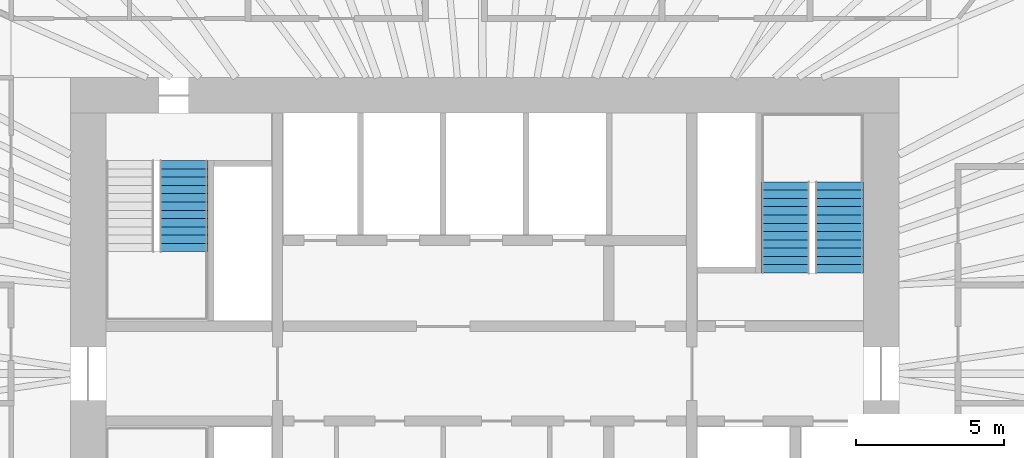
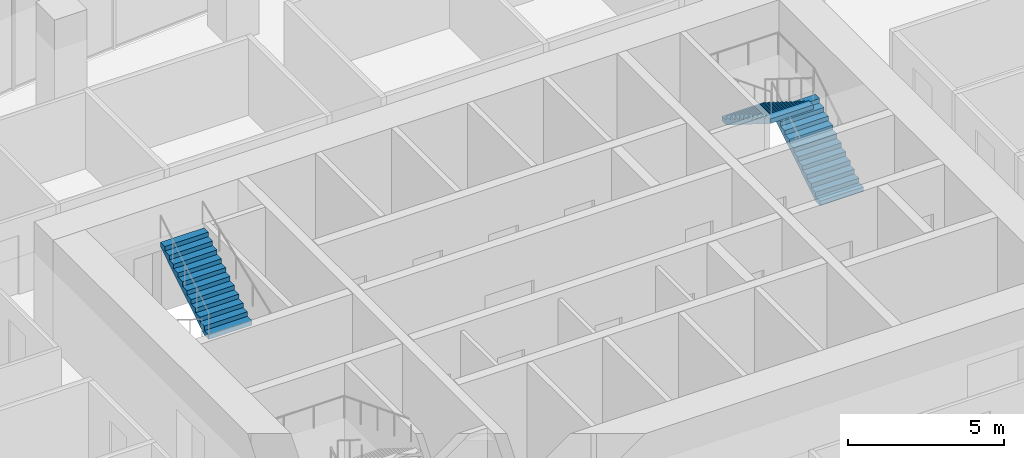
# One storey, part 11 of 12: 3 stair flights, 2 elements without a shape of their own.
"""IFC4 building model written with IfcOpenShell, lengths in metres."""

import ifcopenshell
import ifcopenshell.guid

model = None  # the IFC model being written
_history = None  # IfcOwnerHistory: only IFC2X3 demands one
_inside = {}  # id of a spatial element -> (the spatial element, [elements in it])
_under = {}  # id of a project, library or spatial element -> (it, [spatial elements below it])
_declared = {}  # id of a project -> (the project, [libraries it declares])
_typed = {}  # id of a type object -> (the type object, [elements of that type])
_made_of = {}  # id of a material, layer set ... -> (it, [elements and type objects made of it])


def new_model(schema):
    """Start an empty IFC model of exactly this schema.

    Asked for "IFC4X3", IfcOpenShell would pick the latest addendum, in which some entities
    have other attributes; the version numbers below select the first issue.
    IFC2X3 requires an IfcOwnerHistory on every rooted entity: one is made here for all.
    """
    global model, _history
    if schema == "IFC4X3":
        model = ifcopenshell.file(schema_version=(4, 3, 0, 0))
    else:
        model = ifcopenshell.file(schema=schema)
    _inside.clear()
    _under.clear()
    _declared.clear()
    _typed.clear()
    _made_of.clear()
    _history = None
    if model.schema == "IFC2X3":
        org = make("IfcOrganization", Name="unknown")
        user = make(
            "IfcPersonAndOrganization",
            ThePerson=make("IfcPerson", FamilyName="unknown"),
            TheOrganization=org,
        )
        app = make(
            "IfcApplication",
            ApplicationDeveloper=org,
            Version="unknown",
            ApplicationFullName="unknown",
            ApplicationIdentifier="unknown",
        )
        _history = make(
            "IfcOwnerHistory",
            OwningUser=user,
            OwningApplication=app,
            ChangeAction="ADDED",
            CreationDate=0,
        )
    return model


def make(cls, **values):
    """One entity of the class cls with the attributes given. An attribute that is None is left unset."""
    return model.create_entity(
        cls, **{name: value for name, value in values.items() if value is not None}
    )


def rooted(cls, **values):
    """An entity with a GlobalId (a new one), such as an element, a storey or a relation."""
    return make(cls, GlobalId=ifcopenshell.guid.new(), OwnerHistory=_history, **values)


def si_unit(unit_type, name, prefix=None):
    """IfcSIUnit, for example si_unit("LENGTHUNIT", "METRE", prefix="MILLI")."""
    return make("IfcSIUnit", UnitType=unit_type, Prefix=prefix, Name=name)


def assignment(units):
    """IfcUnitAssignment: the units of a project."""
    return None if units is None else make("IfcUnitAssignment", Units=units)


def point(xyz):
    """IfcCartesianPoint."""
    return None if xyz is None else make("IfcCartesianPoint", Coordinates=xyz)


def direction(xyz):
    """IfcDirection."""
    return None if xyz is None else make("IfcDirection", DirectionRatios=xyz)


def frame(location, z_axis=None, x_axis=None):
    """IfcAxis2Placement3D, a coordinate frame: its origin and axes. An axis left out is left unset."""
    return make(
        "IfcAxis2Placement3D",
        Location=point(location),
        Axis=direction(z_axis),
        RefDirection=direction(x_axis),
    )


def origin():
    """The frame at (0, 0, 0) with its axes left unset."""
    return frame((0.0, 0.0, 0.0))


def place(relative_to, where):
    """IfcLocalPlacement: puts the frame where relative to a parent placement (None: the world)."""
    return make(
        "IfcLocalPlacement", PlacementRelTo=relative_to, RelativePlacement=where
    )


def context(
    kind, dimensions, precision=None, world=None, true_north=None, identifier=None
):
    """IfcGeometricRepresentationContext, for example the 3D "Model" context."""
    return make(
        "IfcGeometricRepresentationContext",
        ContextIdentifier=identifier,
        ContextType=kind,
        CoordinateSpaceDimension=dimensions,
        Precision=precision,
        WorldCoordinateSystem=world,
        TrueNorth=true_north,
    )


def subcontext(parent, identifier, kind, view, scale=None):
    """IfcGeometricRepresentationSubContext, for example "Body" below "Model"."""
    return make(
        "IfcGeometricRepresentationSubContext",
        ContextIdentifier=identifier,
        ContextType=kind,
        ParentContext=parent,
        TargetScale=scale,
        TargetView=view,
    )


def project(units=None, contexts=None):
    """IfcProject with its units and contexts."""
    return rooted(
        "IfcProject",
        Name="project",
        RepresentationContexts=contexts,
        UnitsInContext=assignment(units),
    )


def spatial(cls, under=None, at=None, **own):
    """A site, building, storey or space (cls), placed at a placement, below another one or the project."""
    s = rooted(cls, ObjectPlacement=at, **own)
    if under is not None:
        _under.setdefault(under.id(), (under, []))[1].append(s)
    return s


def polyline(points):
    """IfcPolyline through the points."""
    return make("IfcPolyline", Points=[point(p) for p in points])


def outline(outer, holes=None, kind="AREA"):
    """IfcArbitraryClosedProfileDef: a profile drawn as a closed curve; with holes, ...WithVoids."""
    if holes is None:
        return make("IfcArbitraryClosedProfileDef", ProfileType=kind, OuterCurve=outer)
    return make(
        "IfcArbitraryProfileDefWithVoids",
        ProfileType=kind,
        OuterCurve=outer,
        InnerCurves=holes,
    )


def extrude(swept, where, along, depth):
    """IfcExtrudedAreaSolid: the profile swept, set in the frame where, extruded along a direction by depth."""
    return make(
        "IfcExtrudedAreaSolid",
        SweptArea=swept,
        Position=where,
        ExtrudedDirection=direction(along),
        Depth=depth,
    )


def shape(context_of_items, identifier, shape_type, items):
    """IfcShapeRepresentation: the items that make up one representation, for example the "Body"."""
    return make(
        "IfcShapeRepresentation",
        ContextOfItems=context_of_items,
        RepresentationIdentifier=identifier,
        RepresentationType=shape_type,
        Items=items,
    )


def material(Name=None, Category=None):
    """IfcMaterial."""
    return make("IfcMaterial", Name=Name, Category=Category)


def made_of(thing, what):
    """Note that an element or type object is made of a material, layer set ...; save() writes the relation."""
    if what is not None:
        _made_of.setdefault(what.id(), (what, []))[1].append(thing)
    return thing


def type_object(cls, material=None, **own):
    """A type object (cls), such as IfcWallType, which elements share."""
    return made_of(rooted(cls, **own), material)


def element(
    cls,
    number,
    at=None,
    inside=None,
    cuts=None,
    type_object=None,
    material=None,
    context=None,
    identifier="Body",
    shape_type=None,
    held_by="IfcProductDefinitionShape",
    body=None,
    shapes=None,
    **own,
):
    """One element of the class cls, such as IfcWall. Its Tag is "e" and its number.

    at: its placement. inside: the storey or other place that contains it. cuts: it is an
    opening in that element (IfcRelVoidsElement). A single representation is given by context,
    identifier, shape_type and body (its items); several are given by shapes. held_by: the class
    of the entity that holds the representations. save() writes the other relations.
    """
    e = rooted(cls, Tag="e%d" % number, ObjectPlacement=at, **own)
    if body is not None:
        shapes = [shape(context, identifier, shape_type, body)]
    if shapes is not None:
        e.Representation = make(held_by, Representations=shapes)
    if inside is not None:
        _inside.setdefault(inside.id(), (inside, []))[1].append(e)
    if cuts is not None:
        rooted(
            "IfcRelVoidsElement", RelatingBuildingElement=cuts, RelatedOpeningElement=e
        )
    if type_object is not None:
        _typed.setdefault(type_object.id(), (type_object, []))[1].append(e)
    return made_of(e, material)


def aggregate(whole, parts):
    """IfcRelAggregates: a whole, such as a stair, and the parts it consists of."""
    return rooted("IfcRelAggregates", RelatingObject=whole, RelatedObjects=parts)


def save(model, path):
    """Write the relations noted so far, then the file.

    IfcRelAggregates (storeys below a building ...), IfcRelContainedInSpatialStructure (elements
    in a storey), IfcRelDefinesByType, IfcRelAssociatesMaterial and IfcRelDeclares: one each for
    every whole, place, type object, material and project.
    """
    for whole, parts in _under.values():
        aggregate(whole, parts)
    for where, things in _inside.values():
        rooted(
            "IfcRelContainedInSpatialStructure",
            RelatedElements=things,
            RelatingStructure=where,
        )
    for kind, things in _typed.values():
        rooted("IfcRelDefinesByType", RelatedObjects=things, RelatingType=kind)
    for what, things in _made_of.values():
        rooted("IfcRelAssociatesMaterial", RelatedObjects=things, RelatingMaterial=what)
    for by, libraries in _declared.values():
        rooted("IfcRelDeclares", RelatingContext=by, RelatedDefinitions=libraries)
    model.write(path)


model = new_model("IFC4")

# Units and contexts
model_context = context("Model", 3, precision=1e-05, world=origin(), true_north=direction((0.0, 1.0)))
body_context = subcontext(model_context, "Body", "Model", "MODEL_VIEW")
ifc_project = project(units=[si_unit("LENGTHUNIT", "METRE"), si_unit("AREAUNIT", "SQUARE_METRE"), si_unit("VOLUMEUNIT", "CUBIC_METRE"), si_unit("PLANEANGLEUNIT", "RADIAN"), si_unit("MASSUNIT", "GRAM", prefix="KILO")], contexts=[model_context])

# Site, building, storey
site_placement = place(None, origin())
site = spatial("IfcSite", under=ifc_project, at=site_placement, CompositionType="ELEMENT")
building_placement = place(site_placement, origin())
building = spatial("IfcBuilding", under=site, at=building_placement, Name="Ghaith Harvest Tower", CompositionType="ELEMENT")
storey_placement = place(building_placement, frame((0.0, 0.0, 232.60009765625)))
storey = spatial("IfcBuildingStorey", under=building, at=storey_placement, Name="L51", CompositionType="ELEMENT", Elevation=232.60009765625)

# Stair, stair flight
ifc_material_1 = material(Name="Concrete C40/50, precast", Category="concrete")
stair_type = type_object("IfcStairType", Name="CORE STAIR 24R", PredefinedType="HALF_TURN_STAIR", material=ifc_material_1)
stair_1_placement = place(storey_placement, origin())
stair_1 = element("IfcStair", 1, at=stair_1_placement, inside=storey, type_object=stair_type, Name="Stair ST1 L51", PredefinedType="HALF_TURN_STAIR")
ifc_material_2 = material(Name="Concrete C40/50, precast", Category="concrete")
stair_flight_type = type_object("IfcStairFlightType", Name="CORE FLIGHT 12R 1600", PredefinedType="STRAIGHT", material=ifc_material_2)
stair_flight_1_placement = place(storey_placement, frame((-10.14990234375, 4.1201171875, 2.099853515625), z_axis=(0.0, 0.0, 1.0), x_axis=(0.0, 1.0, 0.0)))
stair_flight_1 = element("IfcStairFlight", 2, at=stair_flight_1_placement, type_object=stair_flight_type, Name="ST1 flight 2", NumberOfRisers=12, NumberOfTreads=11, PredefinedType="STRAIGHT", RiserHeight=0.175, TreadLength=0.28, context=body_context, shape_type="SweptSolid", body=[
    extrude(outline(polyline([(0.0, 0.0), (0.0, 0.175048828125), (0.280029296875, 0.175048828125), (0.280029296875, 0.35009765625), (0.56005859375, 0.35009765625), (0.56005859375, 0.52490234375), (0.840087890625, 0.52490234375), (0.840087890625, 0.699951171875), (1.1201171875, 0.699951171875), (1.1201171875, 0.875), (1.39990234375, 0.875), (1.39990234375, 1.050048828125), (1.679931640625, 1.050048828125), (1.679931640625, 1.22509765625), (1.9599609375, 1.22509765625), (1.9599609375, 1.39990234375), (2.239990234375, 1.39990234375), (2.239990234375, 1.574951171875), (2.52001953125, 1.574951171875), (2.52001953125, 1.75), (2.800048828125, 1.75), (2.800048828125, 1.925048828125), (3.080078125, 1.925048828125), (3.080078125, 2.10009765625), (3.080078125, 1.748291015625), (0.28271484375, 0.0), (0.0, 0.0)])), frame((0.0, 0.800048828125, 0.0), z_axis=(0.0, -1.0, 0.0), x_axis=(1.0, 0.0, 0.0)), (0.0, 0.0, 1.0), 1.60009765625),
])
aggregate(stair_1, [stair_flight_1])

# Stair, stair flights
stair_2_placement = place(storey_placement, origin())
stair_2 = element("IfcStair", 3, at=stair_2_placement, inside=storey, type_object=stair_type, Name="Stair ST2 L51", PredefinedType="HALF_TURN_STAIR")
stair_flight_2_placement = place(storey_placement, frame((12.0, 3.39990234375, 0.0), z_axis=(0.0, 0.0, 1.0), x_axis=(0.0, 1.0, 0.0)))
stair_flight_2 = element("IfcStairFlight", 4, at=stair_flight_2_placement, type_object=stair_flight_type, Name="ST2 flight 1", NumberOfRisers=12, NumberOfTreads=11, PredefinedType="STRAIGHT", RiserHeight=0.175, TreadLength=0.28, context=body_context, shape_type="SweptSolid", body=[
    extrude(outline(polyline([(0.0, 0.0), (0.0, 0.175048828125), (0.280029296875, 0.175048828125), (0.280029296875, 0.35009765625), (0.56005859375, 0.35009765625), (0.56005859375, 0.52490234375), (0.840087890625, 0.52490234375), (0.840087890625, 0.699951171875), (1.1201171875, 0.699951171875), (1.1201171875, 0.875), (1.39990234375, 0.875), (1.39990234375, 1.050048828125), (1.679931640625, 1.050048828125), (1.679931640625, 1.22509765625), (1.9599609375, 1.22509765625), (1.9599609375, 1.39990234375), (2.239990234375, 1.39990234375), (2.239990234375, 1.574951171875), (2.52001953125, 1.574951171875), (2.52001953125, 1.75), (2.800048828125, 1.75), (2.800048828125, 1.925048828125), (3.080078125, 1.925048828125), (3.080078125, 2.10009765625), (3.080078125, 1.748291015625), (0.28271484375, 0.0), (0.0, 0.0)])), frame((0.0, 0.800048828125, 0.0), z_axis=(0.0, -1.0, 0.0), x_axis=(1.0, 0.0, 0.0)), (0.0, 0.0, 1.0), 1.60009765625),
])
stair_flight_3_placement = place(storey_placement, frame((10.14990234375, 6.47998046875, 2.099853515625), z_axis=(0.0, 0.0, 1.0), x_axis=(0.0, -1.0, 0.0)))
stair_flight_3 = element("IfcStairFlight", 5, at=stair_flight_3_placement, type_object=stair_flight_type, Name="ST2 flight 2", NumberOfRisers=12, NumberOfTreads=11, PredefinedType="STRAIGHT", RiserHeight=0.175, TreadLength=0.28, context=body_context, shape_type="SweptSolid", body=[
    extrude(outline(polyline([(0.0, 0.0), (0.0, 0.175048828125), (0.280029296875, 0.175048828125), (0.280029296875, 0.35009765625), (0.56005859375, 0.35009765625), (0.56005859375, 0.52490234375), (0.840087890625, 0.52490234375), (0.840087890625, 0.699951171875), (1.1201171875, 0.699951171875), (1.1201171875, 0.875), (1.39990234375, 0.875), (1.39990234375, 1.050048828125), (1.679931640625, 1.050048828125), (1.679931640625, 1.22509765625), (1.9599609375, 1.22509765625), (1.9599609375, 1.39990234375), (2.239990234375, 1.39990234375), (2.239990234375, 1.574951171875), (2.52001953125, 1.574951171875), (2.52001953125, 1.75), (2.800048828125, 1.75), (2.800048828125, 1.925048828125), (3.080078125, 1.925048828125), (3.080078125, 2.10009765625), (3.080078125, 1.748291015625), (0.28271484375, 0.0), (0.0, 0.0)])), frame((0.0, 0.800048828125, 0.0), z_axis=(0.0, -1.0, 0.0), x_axis=(1.0, 0.0, 0.0)), (0.0, 0.0, 1.0), 1.60009765625),
])
aggregate(stair_2, [stair_flight_2, stair_flight_3])

save(model, "model.ifc")
